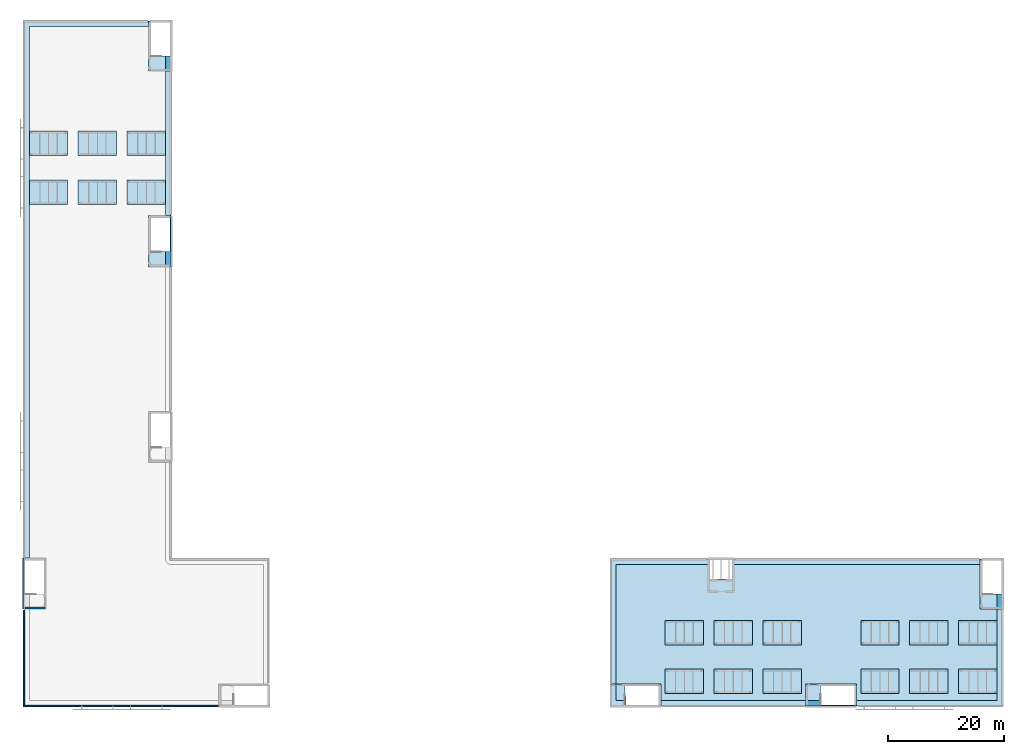
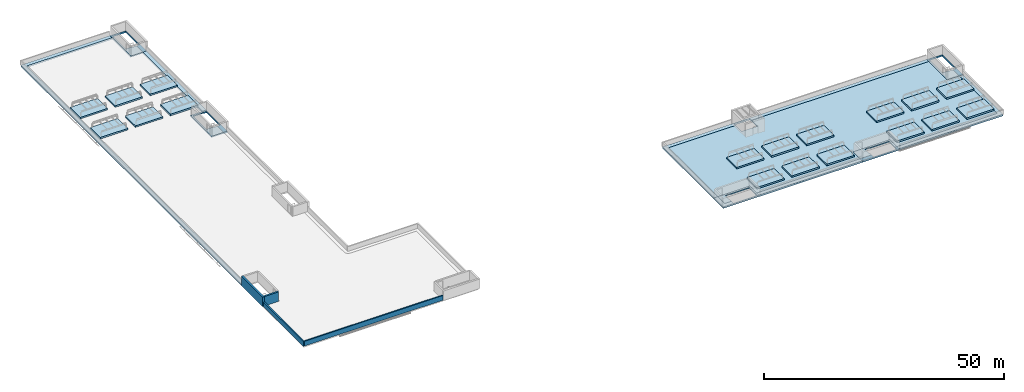
# One storey, part 9 of 18: 34 slabs, 4 walls.
"""IFC4 building model written with IfcOpenShell, lengths in metres."""

from ifc_helpers import new_model, si_unit, direction, frame, frame_2d, origin, place, context, subcontext, project, spatial, polyline, rectangle, outline, extrude, material, layer, layer_set, type_object, element, save


model = new_model("IFC4")

# Units and contexts
model_context = context("Model", 3, precision=1e-05, world=origin(), true_north=direction((0.0, 1.0)))
body_context = subcontext(model_context, "Body", "Model", "MODEL_VIEW")
ifc_project = project(units=[si_unit("LENGTHUNIT", "METRE"), si_unit("AREAUNIT", "SQUARE_METRE"), si_unit("VOLUMEUNIT", "CUBIC_METRE"), si_unit("PLANEANGLEUNIT", "RADIAN"), si_unit("MASSUNIT", "GRAM", prefix="KILO")], contexts=[model_context])

# Site, building, storey
site_placement = place(None, origin())
site = spatial("IfcSite", under=ifc_project, at=site_placement, CompositionType="ELEMENT")
building_placement = place(site_placement, origin())
building = spatial("IfcBuilding", under=site, at=building_placement, Name="Yavir Park General Hospital", CompositionType="ELEMENT")
storey_placement = place(building_placement, frame((0.0, 0.0, 29.699951171875)))
storey = spatial("IfcBuildingStorey", under=building, at=storey_placement, Name="RF", CompositionType="ELEMENT", Elevation=29.699951171875)

# Slabs
ifc_material_1 = material(Name="Concrete C35/45", Category="concrete")
ifc_layer_1 = layer(ifc_material_1, 0.300048828125)
ifc_layer_set_1 = layer_set([ifc_layer_1], Name="Concrete C35/45")
slab_type_1 = type_object("IfcSlabType", Name="RC SLAB FLOOR 300", PredefinedType="FLOOR", material=ifc_layer_set_1)
slab_1_placement = place(storey_placement, frame((0.0, 0.0, -0.300048828125)))
element("IfcSlab", 1, at=slab_1_placement, inside=storey, type_object=slab_type_1, Name="Stair head-house floor SU4", PredefinedType="FLOOR", context=body_context, shape_type="SweptSolid", body=[
    extrude(outline(polyline([(101.699951171875, 0.89990234375), (103.3515625, 0.89990234375), (103.3515625, 1.64990234375), (103.201416015625, 1.64990234375), (103.201416015625, 3.39990234375), (109.0, 3.39990234375), (109.0, 0.89990234375), (109.39990234375, 0.89990234375), (109.39990234375, 3.800048828125), (101.699951171875, 3.800048828125), (101.699951171875, 0.89990234375)])), origin(), (0.0, 0.0, 1.0), 0.300048828125),
])
slab_2_placement = place(storey_placement, frame((0.0, 0.0, -0.300048828125)))
element("IfcSlab", 2, at=slab_2_placement, inside=storey, type_object=slab_type_1, Name="Stair head-house floor SU5", PredefinedType="FLOOR", context=body_context, shape_type="SweptSolid", body=[
    extrude(outline(polyline([(134.199951171875, 0.89990234375), (136.951416015625, 0.89990234375), (136.951416015625, 1.64990234375), (136.801513671875, 1.64990234375), (136.801513671875, 3.39990234375), (142.60009765625, 3.39990234375), (142.60009765625, 0.89990234375), (143.0, 0.89990234375), (143.0, 3.800048828125), (134.199951171875, 3.800048828125), (134.199951171875, 0.89990234375)])), origin(), (0.0, 0.0, 1.0), 0.300048828125),
])
slab_3_placement = place(storey_placement, frame((0.0, 0.0, -0.300048828125)))
element("IfcSlab", 3, at=slab_3_placement, inside=storey, type_object=slab_type_1, Name="Stair head-house floor SU6", PredefinedType="FLOOR", context=body_context, shape_type="SweptSolid", body=[
    extrude(outline(polyline([(167.10009765625, 16.60009765625), (167.10009765625, 19.201416015625), (166.0, 19.201416015625), (166.0, 19.3515625), (164.60009765625, 19.3515625), (164.60009765625, 24.300048828125), (164.199951171875, 24.300048828125), (164.199951171875, 16.60009765625), (167.10009765625, 16.60009765625)])), origin(), (0.0, 0.0, 1.0), 0.300048828125),
])
slab_4_placement = place(storey_placement, frame((0.0, 0.0, -0.300048828125)))
element("IfcSlab", 4, at=slab_4_placement, inside=storey, type_object=slab_type_1, Name="Stair head-house floor SW2", PredefinedType="FLOOR", context=body_context, shape_type="SweptSolid", body=[
    extrude(outline(polyline([(24.300048828125, 75.39990234375), (24.300048828125, 78.00146484375), (23.199951171875, 78.00146484375), (23.199951171875, 78.151611328125), (21.800048828125, 78.151611328125), (21.800048828125, 83.800048828125), (24.300048828125, 83.800048828125), (24.300048828125, 84.199951171875), (21.39990234375, 84.199951171875), (21.39990234375, 75.39990234375), (24.300048828125, 75.39990234375)])), origin(), (0.0, 0.0, 1.0), 0.300048828125),
])
slab_5_placement = place(storey_placement, frame((0.0, 0.0, -0.300048828125)))
element("IfcSlab", 5, at=slab_5_placement, inside=storey, type_object=slab_type_1, Name="Stair head-house floor SW3", PredefinedType="FLOOR", context=body_context, shape_type="SweptSolid", body=[
    extrude(outline(polyline([(24.300048828125, 109.0), (24.300048828125, 111.6015625), (23.199951171875, 111.6015625), (23.199951171875, 111.75146484375), (21.800048828125, 111.75146484375), (21.800048828125, 116.699951171875), (21.39990234375, 116.699951171875), (21.39990234375, 109.0), (24.300048828125, 109.0)])), origin(), (0.0, 0.0, 1.0), 0.300048828125),
])
ifc_material_2 = material(Name="Concrete C35/45", Category="concrete")
ifc_layer_2 = layer(ifc_material_2, 0.39990234375)
ifc_layer_set_2 = layer_set([ifc_layer_2], Name="Concrete C35/45")
slab_type_2 = type_object("IfcSlabType", Name="RC SLAB FLOOR 400", PredefinedType="FLOOR", material=ifc_layer_set_2)
slab_6_placement = place(storey_placement, frame((0.0, 0.0, -0.400146484375)))
element("IfcSlab", 6, at=slab_6_placement, inside=storey, type_object=slab_type_2, Name="Stair head-house floor SU4", PredefinedType="FLOOR", context=body_context, shape_type="SweptSolid", body=[
    extrude(outline(polyline([(109.39990234375, 0.89990234375), (109.0, 0.89990234375), (109.0, 0.14990234375), (103.3515625, 0.14990234375), (103.3515625, 0.89990234375), (101.699951171875, 0.89990234375), (101.699951171875, 3.800048828125), (100.800048828125, 3.800048828125), (100.800048828125, 0.0), (109.39990234375, 0.0), (109.39990234375, 0.89990234375)])), origin(), (0.0, 0.0, 1.0), 0.400146484375),
])
slab_7_placement = place(storey_placement, frame((0.0, 0.0, -0.400146484375)))
element("IfcSlab", 7, at=slab_7_placement, inside=storey, type_object=slab_type_2, Name="Stair head-house floor SU5", PredefinedType="FLOOR", context=body_context, shape_type="SweptSolid", body=[
    extrude(outline(polyline([(143.0, 0.89990234375), (142.60009765625, 0.89990234375), (142.60009765625, 0.14990234375), (136.951416015625, 0.14990234375), (136.951416015625, 0.89990234375), (134.199951171875, 0.89990234375), (134.199951171875, 0.0), (143.0, 0.0), (143.0, 0.89990234375)])), origin(), (0.0, 0.0, 1.0), 0.400146484375),
])
slab_8_placement = place(storey_placement, frame((0.0, 0.0, -0.400146484375)))
element("IfcSlab", 8, at=slab_8_placement, inside=storey, type_object=slab_type_2, Name="Stair head-house floor SU6", PredefinedType="FLOOR", context=body_context, shape_type="SweptSolid", body=[
    extrude(outline(polyline([(164.199951171875, 24.300048828125), (164.60009765625, 24.300048828125), (164.60009765625, 25.0), (167.85009765625, 25.0), (167.85009765625, 19.201416015625), (167.10009765625, 19.201416015625), (167.10009765625, 16.60009765625), (168.0, 16.60009765625), (168.0, 25.199951171875), (164.199951171875, 25.199951171875), (164.199951171875, 24.300048828125)])), origin(), (0.0, 0.0, 1.0), 0.400146484375),
])
slab_9_placement = place(storey_placement, frame((0.0, 0.0, -0.400146484375)))
element("IfcSlab", 9, at=slab_9_placement, inside=storey, type_object=slab_type_2, Name="Stair head-house floor SW2", PredefinedType="FLOOR", context=body_context, shape_type="SweptSolid", body=[
    extrude(outline(polyline([(24.300048828125, 84.199951171875), (24.300048828125, 83.800048828125), (25.050048828125, 83.800048828125), (25.050048828125, 78.00146484375), (24.300048828125, 78.00146484375), (24.300048828125, 75.39990234375), (25.199951171875, 75.39990234375), (25.199951171875, 84.199951171875), (24.300048828125, 84.199951171875)])), origin(), (0.0, 0.0, 1.0), 0.400146484375),
])
slab_10_placement = place(storey_placement, frame((0.0, 0.0, -0.400146484375)))
element("IfcSlab", 10, at=slab_10_placement, inside=storey, type_object=slab_type_2, Name="Stair head-house floor SW3", PredefinedType="FLOOR", context=body_context, shape_type="SweptSolid", body=[
    extrude(outline(polyline([(21.39990234375, 116.699951171875), (21.800048828125, 116.699951171875), (21.800048828125, 117.39990234375), (25.050048828125, 117.39990234375), (25.050048828125, 111.6015625), (24.300048828125, 111.6015625), (24.300048828125, 109.0), (25.199951171875, 109.0), (25.199951171875, 117.60009765625), (21.39990234375, 117.60009765625), (21.39990234375, 116.699951171875)])), origin(), (0.0, 0.0, 1.0), 0.400146484375),
])
slab_11_placement = place(storey_placement, origin())
element("IfcSlab", 11, at=slab_11_placement, inside=storey, type_object=slab_type_2, Name="S:PAD:PP118A", PredefinedType="FLOOR", context=body_context, shape_type="SweptSolid", body=[
    extrude(outline(polyline([(150.300048828125, 2.10009765625), (150.300048828125, 6.300048828125), (143.699951171875, 6.300048828125), (143.699951171875, 2.10009765625), (150.300048828125, 2.10009765625)])), origin(), (0.0, 0.0, 1.0), 0.400146484375),
])
slab_12_placement = place(storey_placement, origin())
element("IfcSlab", 12, at=slab_12_placement, inside=storey, type_object=slab_type_2, Name="S:PAD:PP119A", PredefinedType="FLOOR", context=body_context, shape_type="SweptSolid", body=[
    extrude(outline(polyline([(158.699951171875, 2.10009765625), (158.699951171875, 6.300048828125), (152.10009765625, 6.300048828125), (152.10009765625, 2.10009765625), (158.699951171875, 2.10009765625)])), origin(), (0.0, 0.0, 1.0), 0.400146484375),
])
slab_13_placement = place(storey_placement, origin())
element("IfcSlab", 13, at=slab_13_placement, inside=storey, type_object=slab_type_2, Name="S:PAD:PP120A", PredefinedType="FLOOR", context=body_context, shape_type="SweptSolid", body=[
    extrude(outline(polyline([(167.10009765625, 2.10009765625), (167.10009765625, 6.300048828125), (160.5, 6.300048828125), (160.5, 2.10009765625), (167.10009765625, 2.10009765625)])), origin(), (0.0, 0.0, 1.0), 0.400146484375),
])
slab_14_placement = place(storey_placement, origin())
element("IfcSlab", 14, at=slab_14_placement, inside=storey, type_object=slab_type_2, Name="S:PAD:PP118B", PredefinedType="FLOOR", context=body_context, shape_type="SweptSolid", body=[
    extrude(outline(polyline([(150.300048828125, 10.5), (150.300048828125, 14.699951171875), (143.699951171875, 14.699951171875), (143.699951171875, 10.5), (150.300048828125, 10.5)])), origin(), (0.0, 0.0, 1.0), 0.400146484375),
])
slab_15_placement = place(storey_placement, origin())
element("IfcSlab", 15, at=slab_15_placement, inside=storey, type_object=slab_type_2, Name="S:PAD:PP119B", PredefinedType="FLOOR", context=body_context, shape_type="SweptSolid", body=[
    extrude(outline(polyline([(158.699951171875, 10.5), (158.699951171875, 14.699951171875), (152.10009765625, 14.699951171875), (152.10009765625, 10.5), (158.699951171875, 10.5)])), origin(), (0.0, 0.0, 1.0), 0.400146484375),
])
slab_16_placement = place(storey_placement, origin())
element("IfcSlab", 16, at=slab_16_placement, inside=storey, type_object=slab_type_2, Name="S:PAD:PP120B", PredefinedType="FLOOR", context=body_context, shape_type="SweptSolid", body=[
    extrude(outline(polyline([(167.10009765625, 10.5), (167.10009765625, 14.699951171875), (160.5, 14.699951171875), (160.5, 10.5), (167.10009765625, 10.5)])), origin(), (0.0, 0.0, 1.0), 0.400146484375),
])
slab_17_placement = place(storey_placement, origin())
element("IfcSlab", 17, at=slab_17_placement, inside=storey, type_object=slab_type_2, Name="S:PAD:PP214A", PredefinedType="FLOOR", context=body_context, shape_type="SweptSolid", body=[
    extrude(outline(polyline([(116.699951171875, 2.10009765625), (116.699951171875, 6.300048828125), (110.10009765625, 6.300048828125), (110.10009765625, 2.10009765625), (116.699951171875, 2.10009765625)])), origin(), (0.0, 0.0, 1.0), 0.400146484375),
])
slab_18_placement = place(storey_placement, origin())
element("IfcSlab", 18, at=slab_18_placement, inside=storey, type_object=slab_type_2, Name="S:PAD:PP215A", PredefinedType="FLOOR", context=body_context, shape_type="SweptSolid", body=[
    extrude(outline(polyline([(125.10009765625, 2.10009765625), (125.10009765625, 6.300048828125), (118.5, 6.300048828125), (118.5, 2.10009765625), (125.10009765625, 2.10009765625)])), origin(), (0.0, 0.0, 1.0), 0.400146484375),
])
slab_19_placement = place(storey_placement, origin())
element("IfcSlab", 19, at=slab_19_placement, inside=storey, type_object=slab_type_2, Name="S:PAD:PP216A", PredefinedType="FLOOR", context=body_context, shape_type="SweptSolid", body=[
    extrude(outline(polyline([(133.5, 2.10009765625), (133.5, 6.300048828125), (126.89990234375, 6.300048828125), (126.89990234375, 2.10009765625), (133.5, 2.10009765625)])), origin(), (0.0, 0.0, 1.0), 0.400146484375),
])
slab_20_placement = place(storey_placement, origin())
element("IfcSlab", 20, at=slab_20_placement, inside=storey, type_object=slab_type_2, Name="S:PAD:PP214B", PredefinedType="FLOOR", context=body_context, shape_type="SweptSolid", body=[
    extrude(outline(polyline([(116.699951171875, 10.5), (116.699951171875, 14.699951171875), (110.10009765625, 14.699951171875), (110.10009765625, 10.5), (116.699951171875, 10.5)])), origin(), (0.0, 0.0, 1.0), 0.400146484375),
])
slab_21_placement = place(storey_placement, origin())
element("IfcSlab", 21, at=slab_21_placement, inside=storey, type_object=slab_type_2, Name="S:PAD:PP215B", PredefinedType="FLOOR", context=body_context, shape_type="SweptSolid", body=[
    extrude(outline(polyline([(125.10009765625, 10.5), (125.10009765625, 14.699951171875), (118.5, 14.699951171875), (118.5, 10.5), (125.10009765625, 10.5)])), origin(), (0.0, 0.0, 1.0), 0.400146484375),
])
slab_22_placement = place(storey_placement, origin())
element("IfcSlab", 22, at=slab_22_placement, inside=storey, type_object=slab_type_2, Name="S:PAD:PP216B", PredefinedType="FLOOR", context=body_context, shape_type="SweptSolid", body=[
    extrude(outline(polyline([(133.5, 10.5), (133.5, 14.699951171875), (126.89990234375, 14.699951171875), (126.89990234375, 10.5), (133.5, 10.5)])), origin(), (0.0, 0.0, 1.0), 0.400146484375),
])
slab_23_placement = place(storey_placement, origin())
element("IfcSlab", 23, at=slab_23_placement, inside=storey, type_object=slab_type_2, Name="S:PAD:PP31L", PredefinedType="FLOOR", context=body_context, shape_type="SweptSolid", body=[
    extrude(outline(polyline([(7.5, 86.10009765625), (7.5, 90.300048828125), (0.89990234375, 90.300048828125), (0.89990234375, 86.10009765625), (7.5, 86.10009765625)])), origin(), (0.0, 0.0, 1.0), 0.400146484375),
])
slab_24_placement = place(storey_placement, origin())
element("IfcSlab", 24, at=slab_24_placement, inside=storey, type_object=slab_type_2, Name="S:PAD:PP32L", PredefinedType="FLOOR", context=body_context, shape_type="SweptSolid", body=[
    extrude(outline(polyline([(15.89990234375, 86.10009765625), (15.89990234375, 90.300048828125), (9.300048828125, 90.300048828125), (9.300048828125, 86.10009765625), (15.89990234375, 86.10009765625)])), origin(), (0.0, 0.0, 1.0), 0.400146484375),
])
slab_25_placement = place(storey_placement, origin())
element("IfcSlab", 25, at=slab_25_placement, inside=storey, type_object=slab_type_2, Name="S:PAD:PP33L", PredefinedType="FLOOR", context=body_context, shape_type="SweptSolid", body=[
    extrude(outline(polyline([(24.300048828125, 86.10009765625), (24.300048828125, 90.300048828125), (17.699951171875, 90.300048828125), (17.699951171875, 86.10009765625), (24.300048828125, 86.10009765625)])), origin(), (0.0, 0.0, 1.0), 0.400146484375),
])
slab_26_placement = place(storey_placement, origin())
element("IfcSlab", 26, at=slab_26_placement, inside=storey, type_object=slab_type_2, Name="S:PAD:PP31M", PredefinedType="FLOOR", context=body_context, shape_type="SweptSolid", body=[
    extrude(outline(polyline([(7.5, 94.5), (7.5, 98.699951171875), (0.89990234375, 98.699951171875), (0.89990234375, 94.5), (7.5, 94.5)])), origin(), (0.0, 0.0, 1.0), 0.400146484375),
])
slab_27_placement = place(storey_placement, origin())
element("IfcSlab", 27, at=slab_27_placement, inside=storey, type_object=slab_type_2, Name="S:PAD:PP32M", PredefinedType="FLOOR", context=body_context, shape_type="SweptSolid", body=[
    extrude(outline(polyline([(15.89990234375, 94.5), (15.89990234375, 98.699951171875), (9.300048828125, 98.699951171875), (9.300048828125, 94.5), (15.89990234375, 94.5)])), origin(), (0.0, 0.0, 1.0), 0.400146484375),
])
slab_28_placement = place(storey_placement, origin())
element("IfcSlab", 28, at=slab_28_placement, inside=storey, type_object=slab_type_2, Name="S:PAD:PP33M", PredefinedType="FLOOR", context=body_context, shape_type="SweptSolid", body=[
    extrude(outline(polyline([(24.300048828125, 94.5), (24.300048828125, 98.699951171875), (17.699951171875, 98.699951171875), (17.699951171875, 94.5), (24.300048828125, 94.5)])), origin(), (0.0, 0.0, 1.0), 0.400146484375),
])
ifc_material_3 = material(Name="Concrete C35/45", Category="concrete")
ifc_layer_3 = layer(ifc_material_3, 0.300048828125)
ifc_layer_set_3 = layer_set([ifc_layer_3], Name="Concrete C35/45")
slab_type_3 = type_object("IfcSlabType", Name="RC SLAB ROOF 300", PredefinedType="ROOF", material=ifc_layer_set_3)
slab_29_placement = place(storey_placement, frame((0.0, 0.0, -0.300048828125)))
element("IfcSlab", 29, at=slab_29_placement, inside=storey, type_object=slab_type_3, Name="RF:L06:1", PredefinedType="ROOF", context=body_context, shape_type="SweptSolid", body=[
    extrude(outline(polyline([(117.800048828125, 24.300048828125), (101.699951171875, 24.300048828125), (101.699951171875, 3.800048828125), (109.39990234375, 3.800048828125), (109.39990234375, 0.89990234375), (134.199951171875, 0.89990234375), (134.199951171875, 3.800048828125), (143.0, 3.800048828125), (143.0, 0.89990234375), (167.10009765625, 0.89990234375), (167.10009765625, 16.60009765625), (164.199951171875, 16.60009765625), (164.199951171875, 24.300048828125), (121.60009765625, 24.300048828125), (121.60009765625, 21.800048828125), (117.800048828125, 21.800048828125), (117.800048828125, 24.300048828125)])), origin(), (0.0, 0.0, 1.0), 0.300048828125),
])
ifc_material_4 = material(Name="Concrete C35/45", Category="concrete")
ifc_layer_4 = layer(ifc_material_4, 0.39990234375)
ifc_layer_set_4 = layer_set([ifc_layer_4], Name="Concrete C35/45")
slab_type_4 = type_object("IfcSlabType", Name="RC SLAB ROOF 400", PredefinedType="ROOF", material=ifc_layer_set_4)
slab_30_placement = place(storey_placement, frame((0.0, 0.0, -0.400146484375)))
element("IfcSlab", 30, at=slab_30_placement, inside=storey, type_object=slab_type_4, Name="RF:L06:3", PredefinedType="ROOF", context=body_context, shape_type="SweptSolid", body=[
    extrude(outline(polyline([(109.39990234375, 0.0), (134.199951171875, 0.0), (134.199951171875, 0.89990234375), (109.39990234375, 0.89990234375), (109.39990234375, 0.0)])), origin(), (0.0, 0.0, 1.0), 0.400146484375),
])
slab_31_placement = place(storey_placement, frame((0.0, 0.0, -0.400146484375)))
element("IfcSlab", 31, at=slab_31_placement, inside=storey, type_object=slab_type_4, Name="RF:L06:4", PredefinedType="ROOF", context=body_context, shape_type="SweptSolid", body=[
    extrude(outline(polyline([(168.0, 0.0), (168.0, 16.60009765625), (167.10009765625, 16.60009765625), (167.10009765625, 0.89990234375), (143.0, 0.89990234375), (143.0, 0.0), (168.0, 0.0)])), origin(), (0.0, 0.0, 1.0), 0.400146484375),
])
slab_32_placement = place(storey_placement, frame((0.0, 0.0, -0.400146484375)))
element("IfcSlab", 32, at=slab_32_placement, inside=storey, type_object=slab_type_4, Name="RF:L06:6", PredefinedType="ROOF", context=body_context, shape_type="SweptSolid", body=[
    extrude(outline(polyline([(100.800048828125, 25.199951171875), (100.800048828125, 3.800048828125), (101.699951171875, 3.800048828125), (101.699951171875, 24.300048828125), (117.800048828125, 24.300048828125), (117.800048828125, 25.050048828125), (121.60009765625, 25.050048828125), (121.60009765625, 24.300048828125), (164.199951171875, 24.300048828125), (164.199951171875, 25.199951171875), (100.800048828125, 25.199951171875)])), origin(), (0.0, 0.0, 1.0), 0.400146484375),
])
slab_33_placement = place(storey_placement, frame((0.0, 0.0, -0.400146484375)))
element("IfcSlab", 33, at=slab_33_placement, inside=storey, type_object=slab_type_4, Name="RF:L06:7", PredefinedType="ROOF", context=body_context, shape_type="SweptSolid", body=[
    extrude(outline(polyline([(0.0, 117.60009765625), (0.0, 25.39990234375), (0.89990234375, 25.39990234375), (0.89990234375, 116.699951171875), (21.39990234375, 116.699951171875), (21.39990234375, 117.60009765625), (0.0, 117.60009765625)])), origin(), (0.0, 0.0, 1.0), 0.400146484375),
])
slab_34_placement = place(storey_placement, frame((0.0, 0.0, -0.400146484375)))
element("IfcSlab", 34, at=slab_34_placement, inside=storey, type_object=slab_type_4, Name="RF:L06:9", PredefinedType="ROOF", context=body_context, shape_type="SweptSolid", body=[
    extrude(outline(polyline([(25.199951171875, 84.199951171875), (25.199951171875, 109.0), (24.300048828125, 109.0), (24.300048828125, 84.199951171875), (25.199951171875, 84.199951171875)])), origin(), (0.0, 0.0, 1.0), 0.400146484375),
])

# Walls
ifc_material_5 = material(Name="Concrete C35/45", Category="concrete")
ifc_layer_5 = layer(ifc_material_5, 0.39990234375)
ifc_layer_set_5 = layer_set([ifc_layer_5], Name="Concrete C35/45")
wall_type_1 = type_object("IfcWallType", Name="Reinforced concrete core wall 400, REI 150", PredefinedType="SHEAR", material=ifc_layer_set_5)
wall_1_placement = place(storey_placement, frame((0.14990234375, 16.800048828125, 0.0), z_axis=(0.0, 0.0, 1.0), x_axis=(1.0, 0.0, 0.0)))
element("IfcWall", 35, at=wall_1_placement, inside=storey, type_object=wall_type_1, Name="Head-house end wall SU1 E1", PredefinedType="SHEAR", context=body_context, shape_type="SweptSolid", body=[
    extrude(rectangle(XDim=3.4501953125, YDim=0.39990234375, at=frame_2d((1.72509765625, 0.0))), origin(), (0.0, 0.0, 1.0), 2.400146484375),
])
ifc_material_6 = material(Name="Concrete C30/37", Category="concrete")
ifc_layer_6 = layer(ifc_material_6, 0.300048828125)
ifc_layer_set_6 = layer_set([ifc_layer_6], Name="Concrete C30/37")
wall_type_2 = type_object("IfcWallType", Name="Roof parapet 300 x 1200", PredefinedType="PARAPET", material=ifc_layer_set_6)
wall_2_placement = place(storey_placement, frame((0.0, 16.449951171875, 0.0), z_axis=(0.0, 0.0, 1.0), x_axis=(0.0, -1.0, 0.0)))
element("IfcWall", 36, at=wall_2_placement, inside=storey, type_object=wall_type_2, Name="Parapet L060-0.4.0", PredefinedType="PARAPET", context=body_context, shape_type="SweptSolid", body=[
    extrude(rectangle(XDim=16.599853515625, YDim=0.300048828125, at=frame_2d((8.2998046875, 0.0))), origin(), (0.0, 0.0, 1.0), 1.199951171875),
])
wall_3_placement = place(storey_placement, frame((0.14990234375, 0.0, 0.0), z_axis=(0.0, 0.0, 1.0), x_axis=(1.0, 0.0, 0.0)))
element("IfcWall", 37, at=wall_3_placement, inside=storey, type_object=wall_type_2, Name="Parapet L060-0.4.1", PredefinedType="PARAPET", context=body_context, shape_type="SweptSolid", body=[
    extrude(rectangle(XDim=33.25, YDim=0.300048828125, at=frame_2d((16.625, 0.0))), origin(), (0.0, 0.0, 1.0), 1.199951171875),
])
ifc_material_7 = material(Name="Concrete C30/37 precast panel with 150 mm mineral wool insulation", Category="concrete")
ifc_layer_7 = layer(ifc_material_7, 0.449951171875)
ifc_layer_set_7 = layer_set([ifc_layer_7], Name="Concrete C30/37 precast panel with 150 mm mineral wool insulation")
wall_type_3 = type_object("IfcWallType", Name="Stair enclosure wall 450, REI 150", PredefinedType="SOLIDWALL", material=ifc_layer_set_7)
wall_4_placement = place(storey_placement, frame((-0.074951171875, 16.60009765625, 0.0), z_axis=(0.0, 0.0, 1.0), x_axis=(0.0, 1.0, 0.0)))
element("IfcWall", 38, at=wall_4_placement, inside=storey, type_object=wall_type_3, Name="Head-house facade wall SU1", PredefinedType="SOLIDWALL", context=body_context, shape_type="SweptSolid", body=[
    extrude(rectangle(XDim=8.7998046875, YDim=0.449951171875, at=frame_2d((4.39990234375, 0.0))), origin(), (0.0, 0.0, 1.0), 2.400146484375),
])

save(model, "model.ifc")
